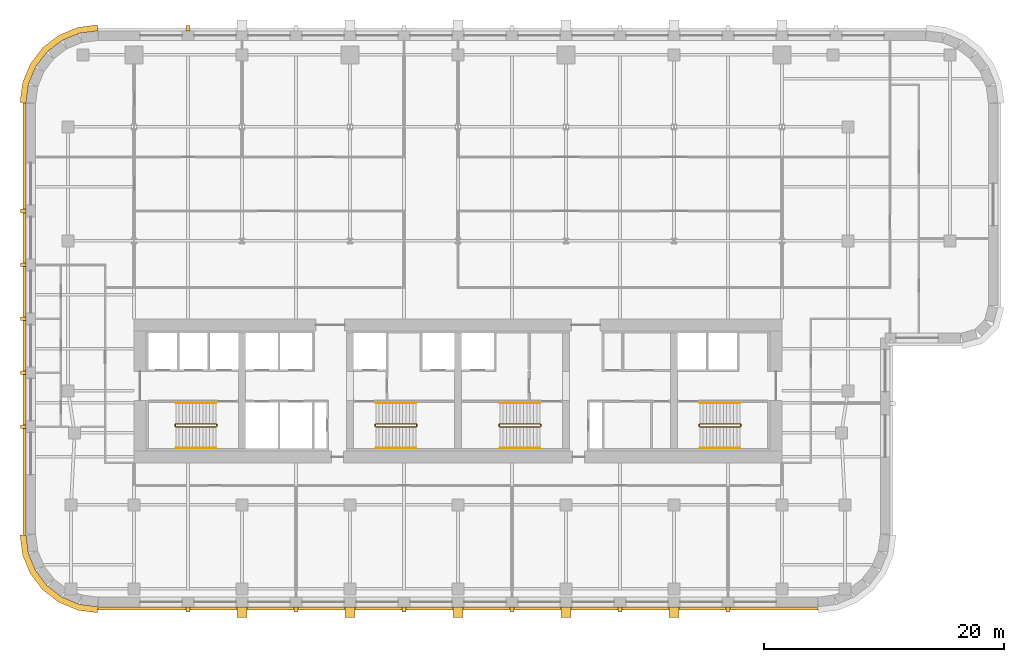
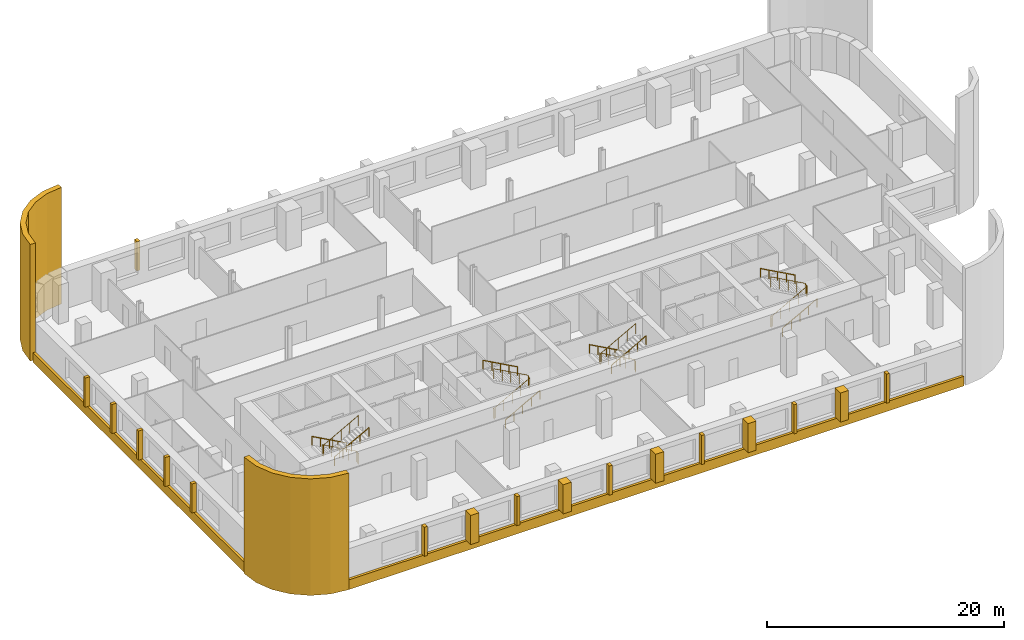
# One storey, part 9 of 10: 21 coverings, 12 railings.
"""IFC4 building model written with IfcOpenShell, lengths in metres."""

import ifcopenshell
import ifcopenshell.guid

model = None  # the IFC model being written
_history = None  # IfcOwnerHistory: only IFC2X3 demands one
_inside = {}  # id of a spatial element -> (the spatial element, [elements in it])
_under = {}  # id of a project, library or spatial element -> (it, [spatial elements below it])
_declared = {}  # id of a project -> (the project, [libraries it declares])
_typed = {}  # id of a type object -> (the type object, [elements of that type])
_made_of = {}  # id of a material, layer set ... -> (it, [elements and type objects made of it])


def new_model(schema):
    """Start an empty IFC model of exactly this schema.

    Asked for "IFC4X3", IfcOpenShell would pick the latest addendum, in which some entities
    have other attributes; the version numbers below select the first issue.
    IFC2X3 requires an IfcOwnerHistory on every rooted entity: one is made here for all.
    """
    global model, _history
    if schema == "IFC4X3":
        model = ifcopenshell.file(schema_version=(4, 3, 0, 0))
    else:
        model = ifcopenshell.file(schema=schema)
    _inside.clear()
    _under.clear()
    _declared.clear()
    _typed.clear()
    _made_of.clear()
    _history = None
    if model.schema == "IFC2X3":
        org = make("IfcOrganization", Name="unknown")
        user = make(
            "IfcPersonAndOrganization",
            ThePerson=make("IfcPerson", FamilyName="unknown"),
            TheOrganization=org,
        )
        app = make(
            "IfcApplication",
            ApplicationDeveloper=org,
            Version="unknown",
            ApplicationFullName="unknown",
            ApplicationIdentifier="unknown",
        )
        _history = make(
            "IfcOwnerHistory",
            OwningUser=user,
            OwningApplication=app,
            ChangeAction="ADDED",
            CreationDate=0,
        )
    return model


def make(cls, **values):
    """One entity of the class cls with the attributes given. An attribute that is None is left unset."""
    return model.create_entity(
        cls, **{name: value for name, value in values.items() if value is not None}
    )


def rooted(cls, **values):
    """An entity with a GlobalId (a new one), such as an element, a storey or a relation."""
    return make(cls, GlobalId=ifcopenshell.guid.new(), OwnerHistory=_history, **values)


def si_unit(unit_type, name, prefix=None):
    """IfcSIUnit, for example si_unit("LENGTHUNIT", "METRE", prefix="MILLI")."""
    return make("IfcSIUnit", UnitType=unit_type, Prefix=prefix, Name=name)


def assignment(units):
    """IfcUnitAssignment: the units of a project."""
    return None if units is None else make("IfcUnitAssignment", Units=units)


def point(xyz):
    """IfcCartesianPoint."""
    return None if xyz is None else make("IfcCartesianPoint", Coordinates=xyz)


def direction(xyz):
    """IfcDirection."""
    return None if xyz is None else make("IfcDirection", DirectionRatios=xyz)


def frame(location, z_axis=None, x_axis=None):
    """IfcAxis2Placement3D, a coordinate frame: its origin and axes. An axis left out is left unset."""
    return make(
        "IfcAxis2Placement3D",
        Location=point(location),
        Axis=direction(z_axis),
        RefDirection=direction(x_axis),
    )


def frame_2d(location, x_axis=None):
    """IfcAxis2Placement2D, a coordinate frame in the plane: its origin and x axis."""
    return make(
        "IfcAxis2Placement2D", Location=point(location), RefDirection=direction(x_axis)
    )


def origin():
    """The frame at (0, 0, 0) with its axes left unset."""
    return frame((0.0, 0.0, 0.0))


def origin_2d():
    """The frame at (0, 0) in the plane with its x axis left unset."""
    return frame_2d((0.0, 0.0))


def place(relative_to, where):
    """IfcLocalPlacement: puts the frame where relative to a parent placement (None: the world)."""
    return make(
        "IfcLocalPlacement", PlacementRelTo=relative_to, RelativePlacement=where
    )


def context(
    kind, dimensions, precision=None, world=None, true_north=None, identifier=None
):
    """IfcGeometricRepresentationContext, for example the 3D "Model" context."""
    return make(
        "IfcGeometricRepresentationContext",
        ContextIdentifier=identifier,
        ContextType=kind,
        CoordinateSpaceDimension=dimensions,
        Precision=precision,
        WorldCoordinateSystem=world,
        TrueNorth=true_north,
    )


def subcontext(parent, identifier, kind, view, scale=None):
    """IfcGeometricRepresentationSubContext, for example "Body" below "Model"."""
    return make(
        "IfcGeometricRepresentationSubContext",
        ContextIdentifier=identifier,
        ContextType=kind,
        ParentContext=parent,
        TargetScale=scale,
        TargetView=view,
    )


def project(units=None, contexts=None):
    """IfcProject with its units and contexts."""
    return rooted(
        "IfcProject",
        Name="project",
        RepresentationContexts=contexts,
        UnitsInContext=assignment(units),
    )


def spatial(cls, under=None, at=None, **own):
    """A site, building, storey or space (cls), placed at a placement, below another one or the project."""
    s = rooted(cls, ObjectPlacement=at, **own)
    if under is not None:
        _under.setdefault(under.id(), (under, []))[1].append(s)
    return s


def polyline(points):
    """IfcPolyline through the points."""
    return make("IfcPolyline", Points=[point(p) for p in points])


def profile(cls, at=None, kind="AREA", **sizes):
    """A parametric profile (cls). Its sizes go by their IFC names, for example OverallWidth=200.0."""
    return make(cls, ProfileType=kind, Position=at, **sizes)


def circle(**sizes):
    """IfcCircleProfileDef."""
    return profile("IfcCircleProfileDef", **sizes)


def outline(outer, holes=None, kind="AREA"):
    """IfcArbitraryClosedProfileDef: a profile drawn as a closed curve; with holes, ...WithVoids."""
    if holes is None:
        return make("IfcArbitraryClosedProfileDef", ProfileType=kind, OuterCurve=outer)
    return make(
        "IfcArbitraryProfileDefWithVoids",
        ProfileType=kind,
        OuterCurve=outer,
        InnerCurves=holes,
    )


def extrude(swept, where, along, depth):
    """IfcExtrudedAreaSolid: the profile swept, set in the frame where, extruded along a direction by depth."""
    return make(
        "IfcExtrudedAreaSolid",
        SweptArea=swept,
        Position=where,
        ExtrudedDirection=direction(along),
        Depth=depth,
    )


def shape(context_of_items, identifier, shape_type, items):
    """IfcShapeRepresentation: the items that make up one representation, for example the "Body"."""
    return make(
        "IfcShapeRepresentation",
        ContextOfItems=context_of_items,
        RepresentationIdentifier=identifier,
        RepresentationType=shape_type,
        Items=items,
    )


def material(Name=None, Category=None):
    """IfcMaterial."""
    return make("IfcMaterial", Name=Name, Category=Category)


def layer(
    of_material, thickness, ventilated=None, Name=None, Category=None, Priority=None
):
    """IfcMaterialLayer: one layer of a wall or slab, of a material (None: an air gap)."""
    return make(
        "IfcMaterialLayer",
        Material=of_material,
        LayerThickness=thickness,
        IsVentilated=ventilated,
        Name=Name,
        Category=Category,
        Priority=Priority,
    )


def layer_set(layers, Name=None):
    """IfcMaterialLayerSet."""
    return make("IfcMaterialLayerSet", MaterialLayers=layers, LayerSetName=Name)


def made_of(thing, what):
    """Note that an element or type object is made of a material, layer set ...; save() writes the relation."""
    if what is not None:
        _made_of.setdefault(what.id(), (what, []))[1].append(thing)
    return thing


def type_object(cls, material=None, **own):
    """A type object (cls), such as IfcWallType, which elements share."""
    return made_of(rooted(cls, **own), material)


def element(
    cls,
    number,
    at=None,
    inside=None,
    cuts=None,
    type_object=None,
    material=None,
    context=None,
    identifier="Body",
    shape_type=None,
    held_by="IfcProductDefinitionShape",
    body=None,
    shapes=None,
    **own,
):
    """One element of the class cls, such as IfcWall. Its Tag is "e" and its number.

    at: its placement. inside: the storey or other place that contains it. cuts: it is an
    opening in that element (IfcRelVoidsElement). A single representation is given by context,
    identifier, shape_type and body (its items); several are given by shapes. held_by: the class
    of the entity that holds the representations. save() writes the other relations.
    """
    e = rooted(cls, Tag="e%d" % number, ObjectPlacement=at, **own)
    if body is not None:
        shapes = [shape(context, identifier, shape_type, body)]
    if shapes is not None:
        e.Representation = make(held_by, Representations=shapes)
    if inside is not None:
        _inside.setdefault(inside.id(), (inside, []))[1].append(e)
    if cuts is not None:
        rooted(
            "IfcRelVoidsElement", RelatingBuildingElement=cuts, RelatedOpeningElement=e
        )
    if type_object is not None:
        _typed.setdefault(type_object.id(), (type_object, []))[1].append(e)
    return made_of(e, material)


def aggregate(whole, parts):
    """IfcRelAggregates: a whole, such as a stair, and the parts it consists of."""
    return rooted("IfcRelAggregates", RelatingObject=whole, RelatedObjects=parts)


def save(model, path):
    """Write the relations noted so far, then the file.

    IfcRelAggregates (storeys below a building ...), IfcRelContainedInSpatialStructure (elements
    in a storey), IfcRelDefinesByType, IfcRelAssociatesMaterial and IfcRelDeclares: one each for
    every whole, place, type object, material and project.
    """
    for whole, parts in _under.values():
        aggregate(whole, parts)
    for where, things in _inside.values():
        rooted(
            "IfcRelContainedInSpatialStructure",
            RelatedElements=things,
            RelatingStructure=where,
        )
    for kind, things in _typed.values():
        rooted("IfcRelDefinesByType", RelatedObjects=things, RelatingType=kind)
    for what, things in _made_of.values():
        rooted("IfcRelAssociatesMaterial", RelatedObjects=things, RelatingMaterial=what)
    for by, libraries in _declared.values():
        rooted("IfcRelDeclares", RelatingContext=by, RelatedDefinitions=libraries)
    model.write(path)


model = new_model("IFC4")

# Units and contexts
model_context = context("Model", 3, precision=1e-05, world=origin(), true_north=direction((0.0, 1.0)))
body_context = subcontext(model_context, "Body", "Model", "MODEL_VIEW")
ifc_project = project(units=[si_unit("LENGTHUNIT", "METRE"), si_unit("AREAUNIT", "SQUARE_METRE"), si_unit("VOLUMEUNIT", "CUBIC_METRE"), si_unit("PLANEANGLEUNIT", "RADIAN"), si_unit("MASSUNIT", "GRAM", prefix="KILO")], contexts=[model_context])

# Site, building, storey
site_placement = place(None, origin())
site = spatial("IfcSite", under=ifc_project, at=site_placement, CompositionType="ELEMENT")
building_placement = place(site_placement, origin())
building = spatial("IfcBuilding", under=site, at=building_placement, Name="Zellij Exchange Tower", CompositionType="ELEMENT")
storey_placement = place(building_placement, frame((0.0, 0.0, 120.5)))
storey = spatial("IfcBuildingStorey", under=building, at=storey_placement, Name="L26", CompositionType="ELEMENT", Elevation=120.5)

# Railings
ifc_material_1 = material(Name="Stainless steel", Category="steel")
railing_type_1 = type_object("IfcRailingType", Name="CORE-RG stair guard", PredefinedType="GUARDRAIL", material=ifc_material_1)
railing_1_placement = place(storey_placement, frame((-20.10009765625, -10.800048828125, 0.0)))
element("IfcRailing", 1, at=railing_1_placement, inside=storey, type_object=railing_type_1, Name="ST1 stair guard L26", PredefinedType="GUARDRAIL", context=body_context, shape_type="SweptSolid", body=[
    extrude(circle(Radius=0.02392578125, at=origin_2d()), frame((0.0, 0.0, 1.076171875), z_axis=(0.0, -1.0, 0.0), x_axis=(1.0, 0.0, 0.0)), (0.0, 0.0, 1.0), 0.14990234375),
    extrude(circle(Radius=0.02392578125, at=origin_2d()), frame((0.0, -0.14990234375, 1.076171875), z_axis=(-0.193691321961, 0.777613689637, 0.598164376644), x_axis=(-0.970351222016, -0.241699205484, 0.0)), (0.0, 0.0, 1.0), 0.257080078125),
    extrude(circle(Radius=0.02392578125, at=origin_2d()), frame((-0.0498046875, 0.050048828125, 1.22998046875), z_axis=(-0.876421534553, 0.0, 0.481544695509), x_axis=(0.0, -1.0, 0.0)), (0.0, 0.0, 1.0), 3.833984375),
    extrude(circle(Radius=0.02392578125, at=origin_2d()), frame((-3.409912109375, 0.050048828125, 3.076171875), z_axis=(-0.707106781187, -0.707106781187, 0.0), x_axis=(0.707106781187, -0.707106781187, 0.0)), (0.0, 0.0, 1.0), 0.07080078125),
    extrude(circle(Radius=0.02392578125, at=origin_2d()), frame((-3.4599609375, 0.0, 3.076171875), z_axis=(0.0, -1.0, 0.0), x_axis=(1.0, 0.0, 0.0)), (0.0, 0.0, 1.0), 0.14990234375),
    extrude(circle(Radius=0.02392578125, at=origin_2d()), frame((-3.4599609375, -0.14990234375, 3.076171875), z_axis=(0.295599637079, -0.295599637079, 0.908428152975), x_axis=(0.707106781187, 0.707106781187, 0.0)), (0.0, 0.0, 1.0), 0.16943359375),
    extrude(circle(Radius=0.02392578125, at=origin_2d()), frame((-3.409912109375, -0.199951171875, 3.22998046875), z_axis=(0.876421534553, 0.0, 0.481544695509), x_axis=(0.0, 1.0, 0.0)), (0.0, 0.0, 1.0), 3.833984375),
    extrude(circle(Radius=0.02099609375, at=origin_2d()), origin(), (0.0, 0.0, 1.0), 1.052001953125),
    extrude(circle(Radius=0.02099609375, at=origin_2d()), frame((0.0, -0.14990234375, 0.0)), (0.0, 0.0, 1.0), 1.052001953125),
    extrude(circle(Radius=0.02099609375, at=origin_2d()), frame((-0.0498046875, 0.050048828125, 0.15380859375)), (0.0, 0.0, 1.0), 1.052001953125),
    extrude(circle(Radius=0.02099609375, at=origin_2d()), frame((-0.889892578125, 0.050048828125, 0.615234375)), (0.0, 0.0, 1.0), 1.052001953125),
    extrude(circle(Radius=0.02099609375, at=origin_2d()), frame((-1.72998046875, 0.050048828125, 1.076904296875)), (0.0, 0.0, 1.0), 1.052001953125),
    extrude(circle(Radius=0.02099609375, at=origin_2d()), frame((-2.56982421875, 0.050048828125, 1.53857421875)), (0.0, 0.0, 1.0), 1.052001953125),
    extrude(circle(Radius=0.02099609375, at=origin_2d()), frame((-3.409912109375, 0.050048828125, 2.0)), (0.0, 0.0, 1.0), 1.052001953125),
    extrude(circle(Radius=0.02099609375, at=origin_2d()), frame((-3.4599609375, 0.0, 2.0)), (0.0, 0.0, 1.0), 1.052001953125),
    extrude(circle(Radius=0.02099609375, at=origin_2d()), frame((-3.4599609375, -0.14990234375, 2.0)), (0.0, 0.0, 1.0), 1.052001953125),
    extrude(circle(Radius=0.02099609375, at=origin_2d()), frame((-3.409912109375, -0.199951171875, 2.15380859375)), (0.0, 0.0, 1.0), 1.052001953125),
    extrude(circle(Radius=0.02099609375, at=origin_2d()), frame((-2.56982421875, -0.199951171875, 2.615234375)), (0.0, 0.0, 1.0), 1.052001953125),
    extrude(circle(Radius=0.02099609375, at=origin_2d()), frame((-1.72998046875, -0.199951171875, 3.076904296875)), (0.0, 0.0, 1.0), 1.052001953125),
    extrude(circle(Radius=0.02099609375, at=origin_2d()), frame((-0.889892578125, -0.199951171875, 3.53857421875)), (0.0, 0.0, 1.0), 1.052001953125),
    extrude(circle(Radius=0.02099609375, at=origin_2d()), frame((-0.0498046875, -0.199951171875, 4.0)), (0.0, 0.0, 1.0), 1.052001953125),
])
railing_2_placement = place(storey_placement, frame((-6.89990234375, -10.949951171875, 0.0)))
element("IfcRailing", 2, at=railing_2_placement, inside=storey, type_object=railing_type_1, Name="ST2 stair guard L26", PredefinedType="GUARDRAIL", context=body_context, shape_type="SweptSolid", body=[
    extrude(circle(Radius=0.02392578125, at=origin_2d()), frame((0.0, 0.0, 1.076171875), z_axis=(0.0, 1.0, 0.0), x_axis=(-1.0, 0.0, 0.0)), (0.0, 0.0, 1.0), 0.14990234375),
    extrude(circle(Radius=0.02392578125, at=origin_2d()), frame((0.0, 0.14990234375, 1.076171875), z_axis=(0.193691321961, -0.777613689637, 0.598164376644), x_axis=(0.970351222016, 0.241699205484, 0.0)), (0.0, 0.0, 1.0), 0.257080078125),
    extrude(circle(Radius=0.02392578125, at=origin_2d()), frame((0.0498046875, -0.050048828125, 1.22998046875), z_axis=(0.876421534553, 0.0, 0.481544695509), x_axis=(0.0, 1.0, 0.0)), (0.0, 0.0, 1.0), 3.833984375),
    extrude(circle(Radius=0.02392578125, at=origin_2d()), frame((3.409912109375, -0.050048828125, 3.076171875), z_axis=(0.707106781187, 0.707106781187, 0.0), x_axis=(-0.707106781187, 0.707106781187, 0.0)), (0.0, 0.0, 1.0), 0.07080078125),
    extrude(circle(Radius=0.02392578125, at=origin_2d()), frame((3.4599609375, 0.0, 3.076171875), z_axis=(0.0, 1.0, 0.0), x_axis=(-1.0, 0.0, 0.0)), (0.0, 0.0, 1.0), 0.14990234375),
    extrude(circle(Radius=0.02392578125, at=origin_2d()), frame((3.4599609375, 0.14990234375, 3.076171875), z_axis=(-0.295599637079, 0.295599637079, 0.908428152975), x_axis=(-0.707106781187, -0.707106781187, 0.0)), (0.0, 0.0, 1.0), 0.16943359375),
    extrude(circle(Radius=0.02392578125, at=origin_2d()), frame((3.409912109375, 0.199951171875, 3.22998046875), z_axis=(-0.876421534553, 0.0, 0.481544695509), x_axis=(0.0, -1.0, 0.0)), (0.0, 0.0, 1.0), 3.833984375),
    extrude(circle(Radius=0.02099609375, at=origin_2d()), origin(), (0.0, 0.0, 1.0), 1.052001953125),
    extrude(circle(Radius=0.02099609375, at=origin_2d()), frame((0.0, 0.14990234375, 0.0)), (0.0, 0.0, 1.0), 1.052001953125),
    extrude(circle(Radius=0.02099609375, at=origin_2d()), frame((0.0498046875, -0.050048828125, 0.15380859375)), (0.0, 0.0, 1.0), 1.052001953125),
    extrude(circle(Radius=0.02099609375, at=origin_2d()), frame((0.889892578125, -0.050048828125, 0.615234375)), (0.0, 0.0, 1.0), 1.052001953125),
    extrude(circle(Radius=0.02099609375, at=origin_2d()), frame((1.72998046875, -0.050048828125, 1.076904296875)), (0.0, 0.0, 1.0), 1.052001953125),
    extrude(circle(Radius=0.02099609375, at=origin_2d()), frame((2.56982421875, -0.050048828125, 1.53857421875)), (0.0, 0.0, 1.0), 1.052001953125),
    extrude(circle(Radius=0.02099609375, at=origin_2d()), frame((3.409912109375, -0.050048828125, 2.0)), (0.0, 0.0, 1.0), 1.052001953125),
    extrude(circle(Radius=0.02099609375, at=origin_2d()), frame((3.4599609375, 0.0, 2.0)), (0.0, 0.0, 1.0), 1.052001953125),
    extrude(circle(Radius=0.02099609375, at=origin_2d()), frame((3.4599609375, 0.14990234375, 2.0)), (0.0, 0.0, 1.0), 1.052001953125),
    extrude(circle(Radius=0.02099609375, at=origin_2d()), frame((3.409912109375, 0.199951171875, 2.15380859375)), (0.0, 0.0, 1.0), 1.052001953125),
    extrude(circle(Radius=0.02099609375, at=origin_2d()), frame((2.56982421875, 0.199951171875, 2.615234375)), (0.0, 0.0, 1.0), 1.052001953125),
    extrude(circle(Radius=0.02099609375, at=origin_2d()), frame((1.72998046875, 0.199951171875, 3.076904296875)), (0.0, 0.0, 1.0), 1.052001953125),
    extrude(circle(Radius=0.02099609375, at=origin_2d()), frame((0.889892578125, 0.199951171875, 3.53857421875)), (0.0, 0.0, 1.0), 1.052001953125),
    extrude(circle(Radius=0.02099609375, at=origin_2d()), frame((0.0498046875, 0.199951171875, 4.0)), (0.0, 0.0, 1.0), 1.052001953125),
])
railing_3_placement = place(storey_placement, frame((6.89990234375, -10.800048828125, 0.0)))
element("IfcRailing", 3, at=railing_3_placement, inside=storey, type_object=railing_type_1, Name="ST3 stair guard L26", PredefinedType="GUARDRAIL", context=body_context, shape_type="SweptSolid", body=[
    extrude(circle(Radius=0.02392578125, at=origin_2d()), frame((0.0, 0.0, 1.076171875), z_axis=(0.0, -1.0, 0.0), x_axis=(1.0, 0.0, 0.0)), (0.0, 0.0, 1.0), 0.14990234375),
    extrude(circle(Radius=0.02392578125, at=origin_2d()), frame((0.0, -0.14990234375, 1.076171875), z_axis=(-0.193691321961, 0.777613689637, 0.598164376644), x_axis=(-0.970351222016, -0.241699205484, 0.0)), (0.0, 0.0, 1.0), 0.257080078125),
    extrude(circle(Radius=0.02392578125, at=origin_2d()), frame((-0.0498046875, 0.050048828125, 1.22998046875), z_axis=(-0.876421534553, 0.0, 0.481544695509), x_axis=(0.0, -1.0, 0.0)), (0.0, 0.0, 1.0), 3.833984375),
    extrude(circle(Radius=0.02392578125, at=origin_2d()), frame((-3.409912109375, 0.050048828125, 3.076171875), z_axis=(-0.707106781187, -0.707106781187, 0.0), x_axis=(0.707106781187, -0.707106781187, 0.0)), (0.0, 0.0, 1.0), 0.07080078125),
    extrude(circle(Radius=0.02392578125, at=origin_2d()), frame((-3.4599609375, 0.0, 3.076171875), z_axis=(0.0, -1.0, 0.0), x_axis=(1.0, 0.0, 0.0)), (0.0, 0.0, 1.0), 0.14990234375),
    extrude(circle(Radius=0.02392578125, at=origin_2d()), frame((-3.4599609375, -0.14990234375, 3.076171875), z_axis=(0.295599637079, -0.295599637079, 0.908428152975), x_axis=(0.707106781187, 0.707106781187, 0.0)), (0.0, 0.0, 1.0), 0.16943359375),
    extrude(circle(Radius=0.02392578125, at=origin_2d()), frame((-3.409912109375, -0.199951171875, 3.22998046875), z_axis=(0.876421534553, 0.0, 0.481544695509), x_axis=(0.0, 1.0, 0.0)), (0.0, 0.0, 1.0), 3.833984375),
    extrude(circle(Radius=0.02099609375, at=origin_2d()), origin(), (0.0, 0.0, 1.0), 1.052001953125),
    extrude(circle(Radius=0.02099609375, at=origin_2d()), frame((0.0, -0.14990234375, 0.0)), (0.0, 0.0, 1.0), 1.052001953125),
    extrude(circle(Radius=0.02099609375, at=origin_2d()), frame((-0.0498046875, 0.050048828125, 0.15380859375)), (0.0, 0.0, 1.0), 1.052001953125),
    extrude(circle(Radius=0.02099609375, at=origin_2d()), frame((-0.889892578125, 0.050048828125, 0.615234375)), (0.0, 0.0, 1.0), 1.052001953125),
    extrude(circle(Radius=0.02099609375, at=origin_2d()), frame((-1.72998046875, 0.050048828125, 1.076904296875)), (0.0, 0.0, 1.0), 1.052001953125),
    extrude(circle(Radius=0.02099609375, at=origin_2d()), frame((-2.56982421875, 0.050048828125, 1.53857421875)), (0.0, 0.0, 1.0), 1.052001953125),
    extrude(circle(Radius=0.02099609375, at=origin_2d()), frame((-3.409912109375, 0.050048828125, 2.0)), (0.0, 0.0, 1.0), 1.052001953125),
    extrude(circle(Radius=0.02099609375, at=origin_2d()), frame((-3.4599609375, 0.0, 2.0)), (0.0, 0.0, 1.0), 1.052001953125),
    extrude(circle(Radius=0.02099609375, at=origin_2d()), frame((-3.4599609375, -0.14990234375, 2.0)), (0.0, 0.0, 1.0), 1.052001953125),
    extrude(circle(Radius=0.02099609375, at=origin_2d()), frame((-3.409912109375, -0.199951171875, 2.15380859375)), (0.0, 0.0, 1.0), 1.052001953125),
    extrude(circle(Radius=0.02099609375, at=origin_2d()), frame((-2.56982421875, -0.199951171875, 2.615234375)), (0.0, 0.0, 1.0), 1.052001953125),
    extrude(circle(Radius=0.02099609375, at=origin_2d()), frame((-1.72998046875, -0.199951171875, 3.076904296875)), (0.0, 0.0, 1.0), 1.052001953125),
    extrude(circle(Radius=0.02099609375, at=origin_2d()), frame((-0.889892578125, -0.199951171875, 3.53857421875)), (0.0, 0.0, 1.0), 1.052001953125),
    extrude(circle(Radius=0.02099609375, at=origin_2d()), frame((-0.0498046875, -0.199951171875, 4.0)), (0.0, 0.0, 1.0), 1.052001953125),
])
railing_4_placement = place(storey_placement, frame((20.10009765625, -10.949951171875, 0.0)))
element("IfcRailing", 4, at=railing_4_placement, inside=storey, type_object=railing_type_1, Name="ST4 stair guard L26", PredefinedType="GUARDRAIL", context=body_context, shape_type="SweptSolid", body=[
    extrude(circle(Radius=0.02392578125, at=origin_2d()), frame((0.0, 0.0, 1.076171875), z_axis=(0.0, 1.0, 0.0), x_axis=(-1.0, 0.0, 0.0)), (0.0, 0.0, 1.0), 0.14990234375),
    extrude(circle(Radius=0.02392578125, at=origin_2d()), frame((0.0, 0.14990234375, 1.076171875), z_axis=(0.193691321961, -0.777613689637, 0.598164376644), x_axis=(0.970351222016, 0.241699205484, 0.0)), (0.0, 0.0, 1.0), 0.257080078125),
    extrude(circle(Radius=0.02392578125, at=origin_2d()), frame((0.0498046875, -0.050048828125, 1.22998046875), z_axis=(0.876421534553, 0.0, 0.481544695509), x_axis=(0.0, 1.0, 0.0)), (0.0, 0.0, 1.0), 3.833984375),
    extrude(circle(Radius=0.02392578125, at=origin_2d()), frame((3.409912109375, -0.050048828125, 3.076171875), z_axis=(0.707106781187, 0.707106781187, 0.0), x_axis=(-0.707106781187, 0.707106781187, 0.0)), (0.0, 0.0, 1.0), 0.07080078125),
    extrude(circle(Radius=0.02392578125, at=origin_2d()), frame((3.4599609375, 0.0, 3.076171875), z_axis=(0.0, 1.0, 0.0), x_axis=(-1.0, 0.0, 0.0)), (0.0, 0.0, 1.0), 0.14990234375),
    extrude(circle(Radius=0.02392578125, at=origin_2d()), frame((3.4599609375, 0.14990234375, 3.076171875), z_axis=(-0.295599637079, 0.295599637079, 0.908428152975), x_axis=(-0.707106781187, -0.707106781187, 0.0)), (0.0, 0.0, 1.0), 0.16943359375),
    extrude(circle(Radius=0.02392578125, at=origin_2d()), frame((3.409912109375, 0.199951171875, 3.22998046875), z_axis=(-0.876421534553, 0.0, 0.481544695509), x_axis=(0.0, -1.0, 0.0)), (0.0, 0.0, 1.0), 3.833984375),
    extrude(circle(Radius=0.02099609375, at=origin_2d()), origin(), (0.0, 0.0, 1.0), 1.052001953125),
    extrude(circle(Radius=0.02099609375, at=origin_2d()), frame((0.0, 0.14990234375, 0.0)), (0.0, 0.0, 1.0), 1.052001953125),
    extrude(circle(Radius=0.02099609375, at=origin_2d()), frame((0.0498046875, -0.050048828125, 0.15380859375)), (0.0, 0.0, 1.0), 1.052001953125),
    extrude(circle(Radius=0.02099609375, at=origin_2d()), frame((0.889892578125, -0.050048828125, 0.615234375)), (0.0, 0.0, 1.0), 1.052001953125),
    extrude(circle(Radius=0.02099609375, at=origin_2d()), frame((1.72998046875, -0.050048828125, 1.076904296875)), (0.0, 0.0, 1.0), 1.052001953125),
    extrude(circle(Radius=0.02099609375, at=origin_2d()), frame((2.56982421875, -0.050048828125, 1.53857421875)), (0.0, 0.0, 1.0), 1.052001953125),
    extrude(circle(Radius=0.02099609375, at=origin_2d()), frame((3.409912109375, -0.050048828125, 2.0)), (0.0, 0.0, 1.0), 1.052001953125),
    extrude(circle(Radius=0.02099609375, at=origin_2d()), frame((3.4599609375, 0.0, 2.0)), (0.0, 0.0, 1.0), 1.052001953125),
    extrude(circle(Radius=0.02099609375, at=origin_2d()), frame((3.4599609375, 0.14990234375, 2.0)), (0.0, 0.0, 1.0), 1.052001953125),
    extrude(circle(Radius=0.02099609375, at=origin_2d()), frame((3.409912109375, 0.199951171875, 2.15380859375)), (0.0, 0.0, 1.0), 1.052001953125),
    extrude(circle(Radius=0.02099609375, at=origin_2d()), frame((2.56982421875, 0.199951171875, 2.615234375)), (0.0, 0.0, 1.0), 1.052001953125),
    extrude(circle(Radius=0.02099609375, at=origin_2d()), frame((1.72998046875, 0.199951171875, 3.076904296875)), (0.0, 0.0, 1.0), 1.052001953125),
    extrude(circle(Radius=0.02099609375, at=origin_2d()), frame((0.889892578125, 0.199951171875, 3.53857421875)), (0.0, 0.0, 1.0), 1.052001953125),
    extrude(circle(Radius=0.02099609375, at=origin_2d()), frame((0.0498046875, 0.199951171875, 4.0)), (0.0, 0.0, 1.0), 1.052001953125),
])
railing_type_2 = type_object("IfcRailingType", Name="CORE-RH stair handrail", PredefinedType="HANDRAIL", material=ifc_material_1)
railing_5_placement = place(storey_placement, frame((-20.14990234375, -9.0, 0.15380859375)))
element("IfcRailing", 5, at=railing_5_placement, inside=storey, type_object=railing_type_2, Name="ST1 stair handrail L26", PredefinedType="HANDRAIL", context=body_context, shape_type="SweptSolid", body=[
    extrude(circle(Radius=0.02392578125, at=origin_2d()), frame((0.0, 0.0, 0.8759765625), z_axis=(-0.876421534553, 0.0, 0.481544695509), x_axis=(0.0, -1.0, 0.0)), (0.0, 0.0, 1.0), 3.833984375),
    extrude(circle(Radius=0.02099609375, at=origin_2d()), origin(), (0.0, 0.0, 1.0), 0.851806640625),
    extrude(circle(Radius=0.02099609375, at=origin_2d()), frame((-0.840087890625, 0.0, 0.46142578125)), (0.0, 0.0, 1.0), 0.851806640625),
    extrude(circle(Radius=0.02099609375, at=origin_2d()), frame((-1.68017578125, 0.0, 0.923095703125)), (0.0, 0.0, 1.0), 0.851806640625),
    extrude(circle(Radius=0.02099609375, at=origin_2d()), frame((-2.52001953125, 0.0, 1.384765625)), (0.0, 0.0, 1.0), 0.851806640625),
    extrude(circle(Radius=0.02099609375, at=origin_2d()), frame((-3.360107421875, 0.0, 1.84619140625)), (0.0, 0.0, 1.0), 0.851806640625),
])
for number, where, name in (
    (6, (-23.510009765625, -12.75, 2.15380859375), "ST1 stair handrail L26"),
    (7, (-6.85009765625, -12.75, 0.15380859375), "ST2 stair handrail L26"),
):
    element("IfcRailing", number, at=place(storey_placement, frame(where)), inside=storey, type_object=railing_type_2, Name=name, PredefinedType="HANDRAIL", context=body_context, shape_type="SweptSolid", body=[
        extrude(circle(Radius=0.02392578125, at=origin_2d()), frame((0.0, 0.0, 0.8759765625), z_axis=(0.876421534553, 0.0, 0.481544695509), x_axis=(0.0, 1.0, 0.0)), (0.0, 0.0, 1.0), 3.833984375),
        extrude(circle(Radius=0.02099609375, at=origin_2d()), origin(), (0.0, 0.0, 1.0), 0.851806640625),
        extrude(circle(Radius=0.02099609375, at=origin_2d()), frame((0.840087890625, 0.0, 0.46142578125)), (0.0, 0.0, 1.0), 0.851806640625),
        extrude(circle(Radius=0.02099609375, at=origin_2d()), frame((1.68017578125, 0.0, 0.923095703125)), (0.0, 0.0, 1.0), 0.851806640625),
        extrude(circle(Radius=0.02099609375, at=origin_2d()), frame((2.52001953125, 0.0, 1.384765625)), (0.0, 0.0, 1.0), 0.851806640625),
        extrude(circle(Radius=0.02099609375, at=origin_2d()), frame((3.360107421875, 0.0, 1.84619140625)), (0.0, 0.0, 1.0), 0.851806640625),
    ])
for number, where, name in (
    (8, (-3.489990234375, -9.0, 2.15380859375), "ST2 stair handrail L26"),
    (9, (6.85009765625, -9.0, 0.15380859375), "ST3 stair handrail L26"),
):
    element("IfcRailing", number, at=place(storey_placement, frame(where)), inside=storey, type_object=railing_type_2, Name=name, PredefinedType="HANDRAIL", context=body_context, shape_type="SweptSolid", body=[
        extrude(circle(Radius=0.02392578125, at=origin_2d()), frame((0.0, 0.0, 0.8759765625), z_axis=(-0.876421534553, 0.0, 0.481544695509), x_axis=(0.0, -1.0, 0.0)), (0.0, 0.0, 1.0), 3.833984375),
        extrude(circle(Radius=0.02099609375, at=origin_2d()), origin(), (0.0, 0.0, 1.0), 0.851806640625),
        extrude(circle(Radius=0.02099609375, at=origin_2d()), frame((-0.840087890625, 0.0, 0.46142578125)), (0.0, 0.0, 1.0), 0.851806640625),
        extrude(circle(Radius=0.02099609375, at=origin_2d()), frame((-1.68017578125, 0.0, 0.923095703125)), (0.0, 0.0, 1.0), 0.851806640625),
        extrude(circle(Radius=0.02099609375, at=origin_2d()), frame((-2.52001953125, 0.0, 1.384765625)), (0.0, 0.0, 1.0), 0.851806640625),
        extrude(circle(Radius=0.02099609375, at=origin_2d()), frame((-3.360107421875, 0.0, 1.84619140625)), (0.0, 0.0, 1.0), 0.851806640625),
    ])
for number, where, name in (
    (10, (3.489990234375, -12.75, 2.15380859375), "ST3 stair handrail L26"),
    (11, (20.14990234375, -12.75, 0.15380859375), "ST4 stair handrail L26"),
):
    element("IfcRailing", number, at=place(storey_placement, frame(where)), inside=storey, type_object=railing_type_2, Name=name, PredefinedType="HANDRAIL", context=body_context, shape_type="SweptSolid", body=[
        extrude(circle(Radius=0.02392578125, at=origin_2d()), frame((0.0, 0.0, 0.8759765625), z_axis=(0.876421534553, 0.0, 0.481544695509), x_axis=(0.0, 1.0, 0.0)), (0.0, 0.0, 1.0), 3.833984375),
        extrude(circle(Radius=0.02099609375, at=origin_2d()), origin(), (0.0, 0.0, 1.0), 0.851806640625),
        extrude(circle(Radius=0.02099609375, at=origin_2d()), frame((0.840087890625, 0.0, 0.46142578125)), (0.0, 0.0, 1.0), 0.851806640625),
        extrude(circle(Radius=0.02099609375, at=origin_2d()), frame((1.68017578125, 0.0, 0.923095703125)), (0.0, 0.0, 1.0), 0.851806640625),
        extrude(circle(Radius=0.02099609375, at=origin_2d()), frame((2.52001953125, 0.0, 1.384765625)), (0.0, 0.0, 1.0), 0.851806640625),
        extrude(circle(Radius=0.02099609375, at=origin_2d()), frame((3.360107421875, 0.0, 1.84619140625)), (0.0, 0.0, 1.0), 0.851806640625),
    ])
railing_6_placement = place(storey_placement, frame((23.510009765625, -9.0, 2.15380859375)))
element("IfcRailing", 12, at=railing_6_placement, inside=storey, type_object=railing_type_2, Name="ST4 stair handrail L26", PredefinedType="HANDRAIL", context=body_context, shape_type="SweptSolid", body=[
    extrude(circle(Radius=0.02392578125, at=origin_2d()), frame((0.0, 0.0, 0.8759765625), z_axis=(-0.876421534553, 0.0, 0.481544695509), x_axis=(0.0, -1.0, 0.0)), (0.0, 0.0, 1.0), 3.833984375),
    extrude(circle(Radius=0.02099609375, at=origin_2d()), origin(), (0.0, 0.0, 1.0), 0.851806640625),
    extrude(circle(Radius=0.02099609375, at=origin_2d()), frame((-0.840087890625, 0.0, 0.46142578125)), (0.0, 0.0, 1.0), 0.851806640625),
    extrude(circle(Radius=0.02099609375, at=origin_2d()), frame((-1.68017578125, 0.0, 0.923095703125)), (0.0, 0.0, 1.0), 0.851806640625),
    extrude(circle(Radius=0.02099609375, at=origin_2d()), frame((-2.52001953125, 0.0, 1.384765625)), (0.0, 0.0, 1.0), 0.851806640625),
    extrude(circle(Radius=0.02099609375, at=origin_2d()), frame((-3.360107421875, 0.0, 1.84619140625)), (0.0, 0.0, 1.0), 0.851806640625),
])

# Coverings
ifc_material_2 = material(Name="Limestone cladding", Category="masonry")
ifc_layer_1 = layer(ifc_material_2, 0.5)
ifc_layer_set_1 = layer_set([ifc_layer_1], Name="Limestone cladding")
covering_type_1 = type_object("IfcCoveringType", Name="ENV-CV12 Stone corner pier 500", PredefinedType="CLADDING", material=ifc_layer_set_1)
covering_1_placement = place(storey_placement, origin())
element("IfcCovering", 13, at=covering_1_placement, inside=storey, type_object=covering_type_1, Name="Stone corner pier", PredefinedType="CLADDING", context=body_context, shape_type="SweptSolid", body=[
    extrude(outline(polyline([(-30.0, 22.0), (-31.552978515625, 21.795654296875), (-33.0, 21.1962890625), (-34.24267578125, 20.24267578125), (-35.1962890625, 19.0), (-35.795654296875, 17.552978515625), (-36.0, 16.0), (-36.5, 16.03271484375), (-36.28271484375, 17.683349609375), (-35.6328125, 19.252197265625), (-34.59912109375, 20.59912109375), (-33.252197265625, 21.6328125), (-31.683349609375, 22.28271484375), (-30.03271484375, 22.5), (-30.0, 22.0)])), origin(), (0.0, 0.0, 1.0), 12.0),
])
covering_2_placement = place(storey_placement, origin())
element("IfcCovering", 14, at=covering_2_placement, inside=storey, type_object=covering_type_1, Name="Stone corner pier", PredefinedType="CLADDING", context=body_context, shape_type="SweptSolid", body=[
    extrude(outline(polyline([(-36.0, -20.0), (-35.795654296875, -21.552978515625), (-35.1962890625, -23.0), (-34.24267578125, -24.24267578125), (-33.0, -25.1962890625), (-31.552978515625, -25.795654296875), (-30.0, -26.0), (-30.03271484375, -26.5), (-31.683349609375, -26.28271484375), (-33.252197265625, -25.6328125), (-34.59912109375, -24.59912109375), (-35.6328125, -23.252197265625), (-36.28271484375, -21.683349609375), (-36.5, -20.03271484375), (-36.0, -20.0)])), origin(), (0.0, 0.0, 1.0), 12.0),
])
covering_type_2 = type_object("IfcCoveringType", Name="ENV-CV5 Stone pier 800x900", PredefinedType="CLADDING", material=ifc_material_2)
covering_3_placement = place(storey_placement, frame((0.0, 0.0, 0.800048828125)))
element("IfcCovering", 15, at=covering_3_placement, inside=storey, type_object=covering_type_2, Name="Stone pier", PredefinedType="CLADDING", context=body_context, shape_type="SweptSolid", body=[
    extrude(outline(polyline([(-18.39990234375, -26.0), (-17.60009765625, -26.0), (-17.60009765625, -26.89990234375), (-18.39990234375, -26.89990234375), (-18.39990234375, -26.0)])), origin(), (0.0, 0.0, 1.0), 3.0),
])
covering_4_placement = place(storey_placement, frame((0.0, 0.0, 0.800048828125)))
element("IfcCovering", 16, at=covering_4_placement, inside=storey, type_object=covering_type_2, Name="Stone pier", PredefinedType="CLADDING", context=body_context, shape_type="SweptSolid", body=[
    extrude(outline(polyline([(-9.39990234375, -26.0), (-8.60009765625, -26.0), (-8.60009765625, -26.89990234375), (-9.39990234375, -26.89990234375), (-9.39990234375, -26.0)])), origin(), (0.0, 0.0, 1.0), 3.0),
])
covering_5_placement = place(storey_placement, frame((0.0, 0.0, 0.800048828125)))
element("IfcCovering", 17, at=covering_5_placement, inside=storey, type_object=covering_type_2, Name="Stone pier", PredefinedType="CLADDING", context=body_context, shape_type="SweptSolid", body=[
    extrude(outline(polyline([(-0.39990234375, -26.0), (0.39990234375, -26.0), (0.39990234375, -26.89990234375), (-0.39990234375, -26.89990234375), (-0.39990234375, -26.0)])), origin(), (0.0, 0.0, 1.0), 3.0),
])
covering_6_placement = place(storey_placement, frame((0.0, 0.0, 0.800048828125)))
element("IfcCovering", 18, at=covering_6_placement, inside=storey, type_object=covering_type_2, Name="Stone pier", PredefinedType="CLADDING", context=body_context, shape_type="SweptSolid", body=[
    extrude(outline(polyline([(8.60009765625, -26.0), (9.39990234375, -26.0), (9.39990234375, -26.89990234375), (8.60009765625, -26.89990234375), (8.60009765625, -26.0)])), origin(), (0.0, 0.0, 1.0), 3.0),
])
covering_7_placement = place(storey_placement, frame((0.0, 0.0, 0.800048828125)))
element("IfcCovering", 19, at=covering_7_placement, inside=storey, type_object=covering_type_2, Name="Stone pier", PredefinedType="CLADDING", context=body_context, shape_type="SweptSolid", body=[
    extrude(outline(polyline([(17.60009765625, -26.0), (18.39990234375, -26.0), (18.39990234375, -26.89990234375), (17.60009765625, -26.89990234375), (17.60009765625, -26.0)])), origin(), (0.0, 0.0, 1.0), 3.0),
])
covering_type_3 = type_object("IfcCoveringType", Name="ENV-CV7 Stone pier 300x450", PredefinedType="CLADDING", material=ifc_material_2)
covering_8_placement = place(storey_placement, frame((0.0, 0.0, 0.800048828125)))
element("IfcCovering", 20, at=covering_8_placement, inside=storey, type_object=covering_type_3, Name="Stone pier", PredefinedType="CLADDING", context=body_context, shape_type="SweptSolid", body=[
    extrude(outline(polyline([(-22.64990234375, -26.0), (-22.35009765625, -26.0), (-22.35009765625, -26.449951171875), (-22.64990234375, -26.449951171875), (-22.64990234375, -26.0)])), origin(), (0.0, 0.0, 1.0), 3.0),
])
covering_9_placement = place(storey_placement, frame((0.0, 0.0, 0.800048828125)))
element("IfcCovering", 21, at=covering_9_placement, inside=storey, type_object=covering_type_3, Name="Stone pier", PredefinedType="CLADDING", context=body_context, shape_type="SweptSolid", body=[
    extrude(outline(polyline([(-13.64990234375, -26.0), (-13.35009765625, -26.0), (-13.35009765625, -26.449951171875), (-13.64990234375, -26.449951171875), (-13.64990234375, -26.0)])), origin(), (0.0, 0.0, 1.0), 3.0),
])
covering_10_placement = place(storey_placement, frame((0.0, 0.0, 0.800048828125)))
element("IfcCovering", 22, at=covering_10_placement, inside=storey, type_object=covering_type_3, Name="Stone pier", PredefinedType="CLADDING", context=body_context, shape_type="SweptSolid", body=[
    extrude(outline(polyline([(-4.64990234375, -26.0), (-4.35009765625, -26.0), (-4.35009765625, -26.449951171875), (-4.64990234375, -26.449951171875), (-4.64990234375, -26.0)])), origin(), (0.0, 0.0, 1.0), 3.0),
])
covering_11_placement = place(storey_placement, frame((0.0, 0.0, 0.800048828125)))
element("IfcCovering", 23, at=covering_11_placement, inside=storey, type_object=covering_type_3, Name="Stone pier", PredefinedType="CLADDING", context=body_context, shape_type="SweptSolid", body=[
    extrude(outline(polyline([(4.35009765625, -26.0), (4.64990234375, -26.0), (4.64990234375, -26.449951171875), (4.35009765625, -26.449951171875), (4.35009765625, -26.0)])), origin(), (0.0, 0.0, 1.0), 3.0),
])
covering_12_placement = place(storey_placement, frame((0.0, 0.0, 0.800048828125)))
element("IfcCovering", 24, at=covering_12_placement, inside=storey, type_object=covering_type_3, Name="Stone pier", PredefinedType="CLADDING", context=body_context, shape_type="SweptSolid", body=[
    extrude(outline(polyline([(13.35009765625, -26.0), (13.64990234375, -26.0), (13.64990234375, -26.449951171875), (13.35009765625, -26.449951171875), (13.35009765625, -26.0)])), origin(), (0.0, 0.0, 1.0), 3.0),
])
covering_13_placement = place(storey_placement, frame((0.0, 0.0, 0.800048828125)))
element("IfcCovering", 25, at=covering_13_placement, inside=storey, type_object=covering_type_3, Name="Stone pier", PredefinedType="CLADDING", context=body_context, shape_type="SweptSolid", body=[
    extrude(outline(polyline([(22.35009765625, -26.0), (22.64990234375, -26.0), (22.64990234375, -26.449951171875), (22.35009765625, -26.449951171875), (22.35009765625, -26.0)])), origin(), (0.0, 0.0, 1.0), 3.0),
])
covering_14_placement = place(storey_placement, frame((0.0, 0.0, 0.800048828125)))
element("IfcCovering", 26, at=covering_14_placement, inside=storey, type_object=covering_type_3, Name="Stone pier", PredefinedType="CLADDING", context=body_context, shape_type="SweptSolid", body=[
    extrude(outline(polyline([(-22.35009765625, 22.0), (-22.64990234375, 22.0), (-22.64990234375, 22.449951171875), (-22.35009765625, 22.449951171875), (-22.35009765625, 22.0)])), origin(), (0.0, 0.0, 1.0), 3.0),
])
covering_15_placement = place(storey_placement, frame((0.0, 0.0, 0.800048828125)))
element("IfcCovering", 27, at=covering_15_placement, inside=storey, type_object=covering_type_3, Name="Stone pier", PredefinedType="CLADDING", context=body_context, shape_type="SweptSolid", body=[
    extrude(outline(polyline([(-36.0, 7.136962890625), (-36.0, 6.8369140625), (-36.449951171875, 6.8369140625), (-36.449951171875, 7.136962890625), (-36.0, 7.136962890625)])), origin(), (0.0, 0.0, 1.0), 3.0),
])
covering_16_placement = place(storey_placement, frame((0.0, 0.0, 0.800048828125)))
element("IfcCovering", 28, at=covering_16_placement, inside=storey, type_object=covering_type_3, Name="Stone pier", PredefinedType="CLADDING", context=body_context, shape_type="SweptSolid", body=[
    extrude(outline(polyline([(-36.0, 2.6435546875), (-36.0, 2.343505859375), (-36.449951171875, 2.343505859375), (-36.449951171875, 2.6435546875), (-36.0, 2.6435546875)])), origin(), (0.0, 0.0, 1.0), 3.0),
])
covering_17_placement = place(storey_placement, frame((0.0, 0.0, 0.800048828125)))
element("IfcCovering", 29, at=covering_17_placement, inside=storey, type_object=covering_type_3, Name="Stone pier", PredefinedType="CLADDING", context=body_context, shape_type="SweptSolid", body=[
    extrude(outline(polyline([(-36.0, -1.85009765625), (-36.0, -2.14990234375), (-36.449951171875, -2.14990234375), (-36.449951171875, -1.85009765625), (-36.0, -1.85009765625)])), origin(), (0.0, 0.0, 1.0), 3.0),
])
covering_18_placement = place(storey_placement, frame((0.0, 0.0, 0.800048828125)))
element("IfcCovering", 30, at=covering_18_placement, inside=storey, type_object=covering_type_3, Name="Stone pier", PredefinedType="CLADDING", context=body_context, shape_type="SweptSolid", body=[
    extrude(outline(polyline([(-36.0, -6.343505859375), (-36.0, -6.643310546875), (-36.449951171875, -6.643310546875), (-36.449951171875, -6.343505859375), (-36.0, -6.343505859375)])), origin(), (0.0, 0.0, 1.0), 3.0),
])
covering_19_placement = place(storey_placement, frame((0.0, 0.0, 0.800048828125)))
element("IfcCovering", 31, at=covering_19_placement, inside=storey, type_object=covering_type_3, Name="Stone pier", PredefinedType="CLADDING", context=body_context, shape_type="SweptSolid", body=[
    extrude(outline(polyline([(-36.0, -10.8369140625), (-36.0, -11.136962890625), (-36.449951171875, -11.136962890625), (-36.449951171875, -10.8369140625), (-36.0, -10.8369140625)])), origin(), (0.0, 0.0, 1.0), 3.0),
])
ifc_layer_2 = layer(ifc_material_2, 0.25)
ifc_layer_set_2 = layer_set([ifc_layer_2], Name="Limestone cladding")
covering_type_4 = type_object("IfcCoveringType", Name="ENV-CV8 Stone spandrel band 250", PredefinedType="CLADDING", material=ifc_layer_set_2)
covering_20_placement = place(storey_placement, frame((0.0, 0.0, -0.199951171875)))
element("IfcCovering", 32, at=covering_20_placement, inside=storey, type_object=covering_type_4, Name="Stone spandrel band", PredefinedType="CLADDING", context=body_context, shape_type="SweptSolid", body=[
    extrude(outline(polyline([(-29.973876953125, -26.0), (29.973876953125, -26.0), (29.990234375, -26.25), (-29.990234375, -26.25), (-29.973876953125, -26.0)])), origin(), (0.0, 0.0, 1.0), 1.0),
])
covering_21_placement = place(storey_placement, frame((0.0, 0.0, -0.199951171875)))
element("IfcCovering", 33, at=covering_21_placement, inside=storey, type_object=covering_type_4, Name="Stone spandrel band", PredefinedType="CLADDING", context=body_context, shape_type="SweptSolid", body=[
    extrude(outline(polyline([(-36.0, 15.973876953125), (-36.0, -19.973876953125), (-36.25, -19.990234375), (-36.25, 15.990234375), (-36.0, 15.973876953125)])), origin(), (0.0, 0.0, 1.0), 1.0),
])

save(model, "model.ifc")
